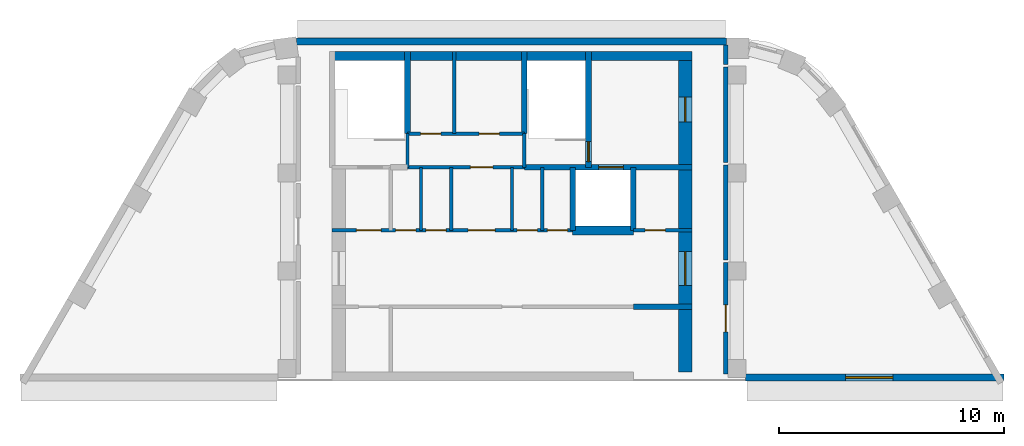
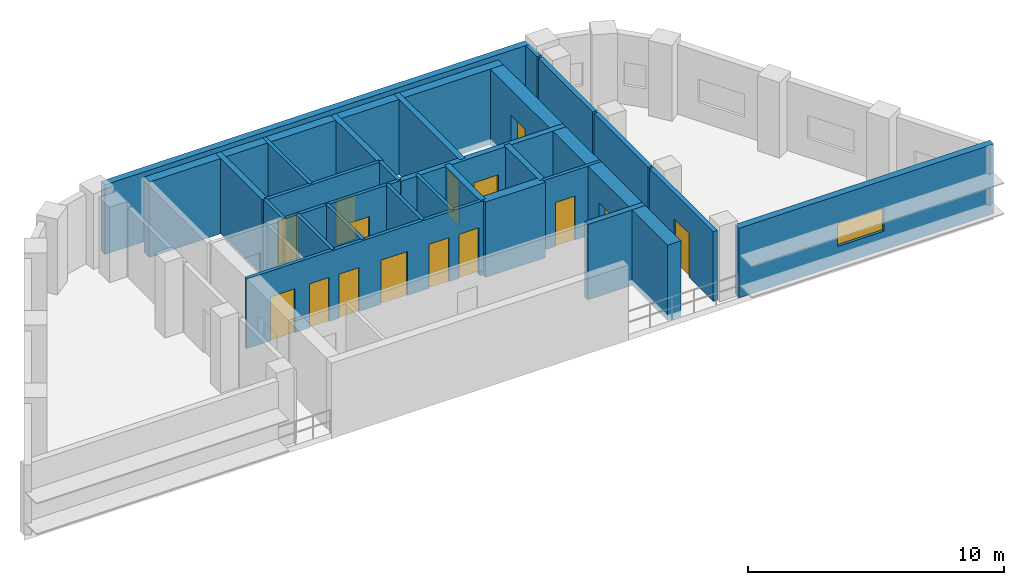
# One storey, part 2 of 4: 28 walls, 15 doors, 1 window, 16 openings.
"""IFC4 building model written with IfcOpenShell, lengths in metres."""

from ifc_helpers import new_model, si_unit, direction, frame, frame_2d, origin, place, context, subcontext, project, spatial, rectangle, extrude, material, layer, layer_set, type_object, element, fill, save


model = new_model("IFC4")

# Units and contexts
model_context = context("Model", 3, precision=1e-05, world=origin(), true_north=direction((0.0, 1.0)))
body_context = subcontext(model_context, "Body", "Model", "MODEL_VIEW")
ifc_project = project(units=[si_unit("LENGTHUNIT", "METRE"), si_unit("AREAUNIT", "SQUARE_METRE"), si_unit("VOLUMEUNIT", "CUBIC_METRE"), si_unit("PLANEANGLEUNIT", "RADIAN"), si_unit("MASSUNIT", "GRAM", prefix="KILO")], contexts=[model_context])

# Site, building, storey
site_placement = place(None, origin())
site = spatial("IfcSite", under=ifc_project, at=site_placement, CompositionType="ELEMENT")
building_placement = place(site_placement, origin())
building = spatial("IfcBuilding", under=site, at=building_placement, Name="Nakaniwa Court", CompositionType="ELEMENT")
storey_placement = place(building_placement, frame((0.0, 0.0, 294.0)))
storey = spatial("IfcBuildingStorey", under=building, at=storey_placement, Name="C07", CompositionType="ELEMENT", Elevation=294.0)

# Wall, opening, door
ifc_material_1 = material(Name="Acoustic double stud partition")
ifc_layer_1 = layer(ifc_material_1, 0.199951171875)
ifc_layer_set_1 = layer_set([ifc_layer_1], Name="Acoustic double stud partition")
wall_type_1 = type_object("IfcWallType", Name="Acoustic double stud partition 200", PredefinedType="PARTITIONING", material=ifc_layer_set_1)
wall_1_placement = place(storey_placement, frame((89.5, 92.6630859375, 0.0), z_axis=(0.0, 0.0, 1.0), x_axis=(0.0, -1.0, 0.0)))
wall_1 = element("IfcWall", 1, at=wall_1_placement, inside=storey, type_object=wall_type_1, Name="Partition PW-027", PredefinedType="PARTITIONING", context=body_context, shape_type="SweptSolid", body=[
    extrude(rectangle(XDim=4.963134765625, YDim=0.199951171875, at=frame_2d((2.4814453125, 0.0))), origin(), (0.0, 0.0, 1.0), 3.324951171875),
])
opening_1_placement = place(wall_1_placement, frame((1.883056640625, 0.0, 0.0)))
opening_1 = element("IfcOpeningElement", 2, at=opening_1_placement, cuts=wall_1, Name="Opening D-30-01", PredefinedType="OPENING", context=body_context, shape_type="SweptSolid", body=[
    extrude(rectangle(XDim=1.199951171875, YDim=2.10009765625, at=frame_2d((0.60009765625, 1.050048828125))), frame((0.0, 0.10986328125, 0.0), z_axis=(0.0, -1.0, 0.0), x_axis=(1.0, 0.0, 0.0)), (0.0, 0.0, 1.0), 0.219970703125),
])
ifc_material_2 = material(Name="Solid core timber door set, black veneer", Category="wood")
door_type_1 = type_object("IfcDoorType", Name="Internal door 1200", OperationType="NOTDEFINED", PredefinedType="DOOR", material=ifc_material_2)
door_1_placement = place(opening_1_placement, origin())
door_1 = element("IfcDoor", 3, at=door_1_placement, inside=storey, type_object=door_type_1, Name="Door D-30-01 C07-015", OperationType="SINGLE_SWING_RIGHT", OverallHeight=2.10009765625, OverallWidth=1.199951171875, PredefinedType="DOOR", context=body_context, shape_type="SweptSolid", body=[
    extrude(rectangle(XDim=1.199951171875, YDim=2.10009765625, at=frame_2d((0.60009765625, 1.050048828125))), frame((0.0, 0.02490234375, 0.0), z_axis=(0.0, -1.0, 0.0), x_axis=(1.0, 0.0, 0.0)), (0.0, 0.0, 1.0), 0.050048828125),
])
fill(opening_1, door_1)

# Walls
wall_2_placement = place(storey_placement, frame((89.5, 92.777099609375, 0.0), z_axis=(0.0, 0.0, 1.0), x_axis=(0.0, 1.0, 0.0)))
element("IfcWall", 4, at=wall_2_placement, inside=storey, type_object=wall_type_1, Name="Partition PW-028", PredefinedType="PARTITIONING", context=body_context, shape_type="SweptSolid", body=[
    extrude(rectangle(XDim=4.23583984375, YDim=0.199951171875, at=frame_2d((2.117919921875, 0.0))), origin(), (0.0, 0.0, 1.0), 3.324951171875),
])
wall_3_placement = place(storey_placement, frame((89.5, 97.126953125, 0.0), z_axis=(0.0, 0.0, 1.0), x_axis=(0.0, 1.0, 0.0)))
element("IfcWall", 5, at=wall_3_placement, inside=storey, type_object=wall_type_1, Name="Partition PW-029", PredefinedType="PARTITIONING", context=body_context, shape_type="SweptSolid", body=[
    extrude(rectangle(XDim=4.236083984375, YDim=0.199951171875, at=frame_2d((2.1181640625, 0.0))), origin(), (0.0, 0.0, 1.0), 3.324951171875),
])
wall_4_placement = place(storey_placement, frame((89.5, 101.47705078125, 0.0), z_axis=(0.0, 0.0, 1.0), x_axis=(0.0, 1.0, 0.0)))
element("IfcWall", 6, at=wall_4_placement, inside=storey, type_object=wall_type_1, Name="Partition PW-030", PredefinedType="PARTITIONING", context=body_context, shape_type="SweptSolid", body=[
    extrude(rectangle(XDim=0.873046875, YDim=0.199951171875, at=frame_2d((0.4365234375, 0.0))), origin(), (0.0, 0.0, 1.0), 3.324951171875),
])

# Wall, opening, window
ifc_material_3 = material(Name="Charcoal ceramic cladding")
ifc_layer_2 = layer(ifc_material_3, 0.02, Name="Ceramic cladding")
ifc_material_4 = material(Name="Ventilated air cavity")
ifc_layer_3 = layer(ifc_material_4, 0.04, ventilated=True, Name="Ventilated cavity")
ifc_material_5 = material(Name="Mineral wool insulation")
ifc_layer_4 = layer(ifc_material_5, 0.1, Name="Insulation")
ifc_material_6 = material(Name="Cement bonded sheathing board")
ifc_layer_5 = layer(ifc_material_6, 0.012, Name="Sheathing")
ifc_material_7 = material(Name="Cold-formed galvanised stud frame with mineral wool infill")
ifc_layer_6 = layer(ifc_material_7, 0.1, Name="Stud frame")
ifc_material_8 = material(Name="Fire-rated gypsum plasterboard lining")
ifc_layer_7 = layer(ifc_material_8, 0.028, Name="Lining")
ifc_layer_set_2 = layer_set([ifc_layer_2, ifc_layer_3, ifc_layer_4, ifc_layer_5, ifc_layer_6, ifc_layer_7], Name="Charcoal ceramic faced external wall system")
wall_type_2 = type_object("IfcWallType", Name="Black ceramic faced external wall 300", PredefinedType="SOLIDWALL", material=ifc_layer_set_2)
wall_5_placement = place(storey_placement, frame((90.39599609375, 87.550048828125, 0.0), z_axis=(0.0, 0.0, 1.0), x_axis=(1.0, 0.0, 0.0)))
wall_5 = element("IfcWall", 7, at=wall_5_placement, inside=storey, type_object=wall_type_2, Name="C07 external wall 03", PredefinedType="SOLIDWALL", context=body_context, shape_type="SweptSolid", body=[
    extrude(rectangle(XDim=11.485595703125, YDim=0.300048828125, at=frame_2d((5.74267578125, 0.0))), origin(), (0.0, 0.0, 1.0), 3.324951171875),
])
opening_2_placement = place(wall_5_placement, frame((4.439208984375, 0.0, 0.89990234375)))
opening_2 = element("IfcOpeningElement", 8, at=opening_2_placement, cuts=wall_5, Name="Opening W7.01", PredefinedType="OPENING", context=body_context, shape_type="SweptSolid", body=[
    extrude(rectangle(XDim=2.10009765625, YDim=1.10009765625, at=frame_2d((1.050048828125, 0.550048828125))), frame((0.0, 0.159912109375, 0.0), z_axis=(0.0, -1.0, 0.0), x_axis=(1.0, 0.0, 0.0)), (0.0, 0.0, 1.0), 0.320068359375),
])
ifc_material_9 = material(Name="Black anodised aluminium frame with dark low-E laminated double glazing", Category="aluminium")
window_type = type_object("IfcWindowType", Name="Dark glass window 2100x1100 sill 900", PartitioningType="SINGLE_PANEL", PredefinedType="WINDOW", material=ifc_material_9)
window_placement = place(opening_2_placement, origin())
window = element("IfcWindow", 9, at=window_placement, inside=storey, type_object=window_type, Name="C07 habitable room window 03-0", OverallHeight=1.10009765625, OverallWidth=2.10009765625, PartitioningType="SINGLE_PANEL", PredefinedType="WINDOW", context=body_context, shape_type="SweptSolid", body=[
    extrude(rectangle(XDim=2.10009765625, YDim=1.10009765625, at=frame_2d((1.050048828125, 0.550048828125))), frame((0.0, 0.030029296875, 0.0), z_axis=(0.0, -1.0, 0.0), x_axis=(1.0, 0.0, 0.0)), (0.0, 0.0, 1.0), 0.06005859375),
])
fill(opening_2, window)

# Wall
wall_6_placement = place(storey_placement, frame((89.54931640625, 102.5, 0.0), z_axis=(0.0, 0.0, 1.0), x_axis=(-1.0, 0.0, 0.0)))
element("IfcWall", 10, at=wall_6_placement, inside=storey, type_object=wall_type_2, Name="C07 external wall 09", PredefinedType="SOLIDWALL", context=body_context, shape_type="SweptSolid", body=[
    extrude(rectangle(XDim=19.1337890625, YDim=0.300048828125, at=frame_2d((9.56689453125, 0.0))), origin(), (0.0, 0.0, 1.0), 3.324951171875),
])

# Wall, openings, doors
ifc_material_10 = material(Name="Blockwork partition", Category="masonry")
ifc_layer_8 = layer(ifc_material_10, 0.14990234375)
ifc_layer_set_3 = layer_set([ifc_layer_8], Name="Blockwork partition")
wall_type_3 = type_object("IfcWallType", Name="Blockwork partition 150", PredefinedType="PARTITIONING", material=ifc_layer_set_3)
wall_7_placement = place(storey_placement, frame((72.0, 94.10009765625, 0.0), z_axis=(0.0, 0.0, 1.0), x_axis=(1.0, 0.0, 0.0)))
wall_7 = element("IfcWall", 11, at=wall_7_placement, inside=storey, type_object=wall_type_3, Name="Partition PW-005", PredefinedType="PARTITIONING", context=body_context, shape_type="SweptSolid", body=[
    extrude(rectangle(XDim=10.702880859375, YDim=0.14990234375, at=frame_2d((5.3515625, 0.0))), origin(), (0.0, 0.0, 1.0), 3.324951171875),
])
opening_3_placement = place(wall_7_placement, frame((1.074951171875, 0.0, 0.0)))
opening_3 = element("IfcOpeningElement", 12, at=opening_3_placement, cuts=wall_7, Name="Opening D-08-01", PredefinedType="OPENING", context=body_context, shape_type="SweptSolid", body=[
    extrude(rectangle(XDim=1.10009765625, YDim=2.10009765625, at=frame_2d((0.550048828125, 1.050048828125))), frame((0.0, 0.0849609375, 0.0), z_axis=(0.0, -1.0, 0.0), x_axis=(1.0, 0.0, 0.0)), (0.0, 0.0, 1.0), 0.169921875),
])
opening_4_placement = place(wall_7_placement, frame((2.824951171875, 0.0, 0.0)))
opening_4 = element("IfcOpeningElement", 13, at=opening_4_placement, cuts=wall_7, Name="Opening D-05-03", PredefinedType="OPENING", context=body_context, shape_type="SweptSolid", body=[
    extrude(rectangle(XDim=0.89990234375, YDim=2.10009765625, at=frame_2d((0.449951171875, 1.050048828125))), frame((0.0, 0.0849609375, 0.0), z_axis=(0.0, -1.0, 0.0), x_axis=(1.0, 0.0, 0.0)), (0.0, 0.0, 1.0), 0.169921875),
])
opening_5_placement = place(wall_7_placement, frame((4.175048828125, 0.0, 0.0)))
opening_5 = element("IfcOpeningElement", 14, at=opening_5_placement, cuts=wall_7, Name="Opening D-05-04", PredefinedType="OPENING", context=body_context, shape_type="SweptSolid", body=[
    extrude(rectangle(XDim=0.89990234375, YDim=2.10009765625, at=frame_2d((0.449951171875, 1.050048828125))), frame((0.0, 0.0849609375, 0.0), z_axis=(0.0, -1.0, 0.0), x_axis=(1.0, 0.0, 0.0)), (0.0, 0.0, 1.0), 0.169921875),
])
opening_6_placement = place(wall_7_placement, frame((6.050048828125, 0.0, 0.0)))
opening_6 = element("IfcOpeningElement", 15, at=opening_6_placement, cuts=wall_7, Name="Opening D-06-01", PredefinedType="OPENING", context=body_context, shape_type="SweptSolid", body=[
    extrude(rectangle(XDim=1.199951171875, YDim=2.10009765625, at=frame_2d((0.60009765625, 1.050048828125))), frame((0.0, 0.0849609375, 0.0), z_axis=(0.0, -1.0, 0.0), x_axis=(1.0, 0.0, 0.0)), (0.0, 0.0, 1.0), 0.169921875),
])
opening_7_placement = place(wall_7_placement, frame((8.22509765625, 0.0, 0.0)))
opening_7 = element("IfcOpeningElement", 16, at=opening_7_placement, cuts=wall_7, Name="Opening D-05-05", PredefinedType="OPENING", context=body_context, shape_type="SweptSolid", body=[
    extrude(rectangle(XDim=0.89990234375, YDim=2.10009765625, at=frame_2d((0.449951171875, 1.050048828125))), frame((0.0, 0.0849609375, 0.0), z_axis=(0.0, -1.0, 0.0), x_axis=(1.0, 0.0, 0.0)), (0.0, 0.0, 1.0), 0.169921875),
])
opening_8_placement = place(wall_7_placement, frame((9.574951171875, 0.0, 0.0)))
opening_8 = element("IfcOpeningElement", 17, at=opening_8_placement, cuts=wall_7, Name="Opening D-05-06", PredefinedType="OPENING", context=body_context, shape_type="SweptSolid", body=[
    extrude(rectangle(XDim=0.89990234375, YDim=2.10009765625, at=frame_2d((0.449951171875, 1.050048828125))), frame((0.0, 0.0849609375, 0.0), z_axis=(0.0, -1.0, 0.0), x_axis=(1.0, 0.0, 0.0)), (0.0, 0.0, 1.0), 0.169921875),
])
ifc_material_11 = material(Name="Fire rated steel double door set", Category="steel")
door_type_2 = type_object("IfcDoorType", Name="Service passage double door 1200", OperationType="NOTDEFINED", PredefinedType="DOOR", material=ifc_material_11)
door_2_placement = place(opening_6_placement, origin())
door_2 = element("IfcDoor", 18, at=door_2_placement, inside=storey, type_object=door_type_2, Name="Door D-06-01 C07-006", OperationType="DOUBLE_DOOR_SINGLE_SWING", OverallHeight=2.10009765625, OverallWidth=1.199951171875, PredefinedType="DOOR", context=body_context, shape_type="SweptSolid", body=[
    extrude(rectangle(XDim=1.199951171875, YDim=2.10009765625, at=frame_2d((0.60009765625, 1.050048828125))), frame((0.0, 0.02490234375, 0.0), z_axis=(0.0, -1.0, 0.0), x_axis=(1.0, 0.0, 0.0)), (0.0, 0.0, 1.0), 0.050048828125),
])
fill(opening_6, door_2)
ifc_material_12 = material(Name="Fire rated steel door set", Category="steel")
door_type_3 = type_object("IfcDoorType", Name="Service room door 900", OperationType="NOTDEFINED", PredefinedType="DOOR", material=ifc_material_12)
door_3_placement = place(opening_4_placement, origin())
door_3 = element("IfcDoor", 19, at=door_3_placement, inside=storey, type_object=door_type_3, Name="Door D-05-03 C07-004", OperationType="SINGLE_SWING_LEFT", OverallHeight=2.10009765625, OverallWidth=0.89990234375, PredefinedType="DOOR", context=body_context, shape_type="SweptSolid", body=[
    extrude(rectangle(XDim=0.89990234375, YDim=2.10009765625, at=frame_2d((0.449951171875, 1.050048828125))), frame((0.0, 0.02490234375, 0.0), z_axis=(0.0, -1.0, 0.0), x_axis=(1.0, 0.0, 0.0)), (0.0, 0.0, 1.0), 0.050048828125),
])
fill(opening_4, door_3)
door_4_placement = place(opening_5_placement, origin())
door_4 = element("IfcDoor", 20, at=door_4_placement, inside=storey, type_object=door_type_3, Name="Door D-05-04 C07-005", OperationType="SINGLE_SWING_RIGHT", OverallHeight=2.10009765625, OverallWidth=0.89990234375, PredefinedType="DOOR", context=body_context, shape_type="SweptSolid", body=[
    extrude(rectangle(XDim=0.89990234375, YDim=2.10009765625, at=frame_2d((0.449951171875, 1.050048828125))), frame((0.0, 0.02490234375, 0.0), z_axis=(0.0, -1.0, 0.0), x_axis=(1.0, 0.0, 0.0)), (0.0, 0.0, 1.0), 0.050048828125),
])
fill(opening_5, door_4)
door_5_placement = place(opening_7_placement, origin())
door_5 = element("IfcDoor", 21, at=door_5_placement, inside=storey, type_object=door_type_3, Name="Door D-05-05 C07-007", OperationType="SINGLE_SWING_RIGHT", OverallHeight=2.10009765625, OverallWidth=0.89990234375, PredefinedType="DOOR", context=body_context, shape_type="SweptSolid", body=[
    extrude(rectangle(XDim=0.89990234375, YDim=2.10009765625, at=frame_2d((0.449951171875, 1.050048828125))), frame((0.0, 0.02490234375, 0.0), z_axis=(0.0, -1.0, 0.0), x_axis=(1.0, 0.0, 0.0)), (0.0, 0.0, 1.0), 0.050048828125),
])
fill(opening_7, door_5)
door_6_placement = place(opening_8_placement, origin())
door_6 = element("IfcDoor", 22, at=door_6_placement, inside=storey, type_object=door_type_3, Name="Door D-05-06 C07-008", OperationType="SINGLE_SWING_LEFT", OverallHeight=2.10009765625, OverallWidth=0.89990234375, PredefinedType="DOOR", context=body_context, shape_type="SweptSolid", body=[
    extrude(rectangle(XDim=0.89990234375, YDim=2.10009765625, at=frame_2d((0.449951171875, 1.050048828125))), frame((0.0, 0.02490234375, 0.0), z_axis=(0.0, -1.0, 0.0), x_axis=(1.0, 0.0, 0.0)), (0.0, 0.0, 1.0), 0.050048828125),
])
fill(opening_8, door_6)
door_type_4 = type_object("IfcDoorType", Name="Stair lobby door 1100", OperationType="NOTDEFINED", PredefinedType="DOOR", material=ifc_material_12)
door_7_placement = place(opening_3_placement, origin())
door_7 = element("IfcDoor", 23, at=door_7_placement, inside=storey, type_object=door_type_4, Name="Door D-08-01 C07-003", OperationType="SINGLE_SWING_RIGHT", OverallHeight=2.10009765625, OverallWidth=1.10009765625, PredefinedType="DOOR", context=body_context, shape_type="SweptSolid", body=[
    extrude(rectangle(XDim=1.10009765625, YDim=2.10009765625, at=frame_2d((0.550048828125, 1.050048828125))), frame((0.0, 0.02490234375, 0.0), z_axis=(0.0, -1.0, 0.0), x_axis=(1.0, 0.0, 0.0)), (0.0, 0.0, 1.0), 0.050048828125),
])
fill(opening_3, door_7)

# Wall, opening, door
wall_8_placement = place(storey_placement, frame((85.39697265625, 94.10009765625, 0.0), z_axis=(0.0, 0.0, 1.0), x_axis=(1.0, 0.0, 0.0)))
wall_8 = element("IfcWall", 24, at=wall_8_placement, inside=storey, type_object=wall_type_3, Name="Partition PW-006", PredefinedType="PARTITIONING", context=body_context, shape_type="SweptSolid", body=[
    extrude(rectangle(XDim=2.60302734375, YDim=0.14990234375, at=frame_2d((1.301513671875, 0.0))), origin(), (0.0, 0.0, 1.0), 3.324951171875),
])
opening_9_placement = place(wall_8_placement, frame((0.528076171875, 0.0, 0.0)))
opening_9 = element("IfcOpeningElement", 25, at=opening_9_placement, cuts=wall_8, Name="Opening D-05-07", PredefinedType="OPENING", context=body_context, shape_type="SweptSolid", body=[
    extrude(rectangle(XDim=0.89990234375, YDim=2.10009765625, at=frame_2d((0.449951171875, 1.050048828125))), frame((0.0, 0.0849609375, 0.0), z_axis=(0.0, -1.0, 0.0), x_axis=(1.0, 0.0, 0.0)), (0.0, 0.0, 1.0), 0.169921875),
])
door_8_placement = place(opening_9_placement, origin())
door_8 = element("IfcDoor", 26, at=door_8_placement, inside=storey, type_object=door_type_3, Name="Door D-05-07 C07-009", OperationType="SINGLE_SWING_RIGHT", OverallHeight=2.10009765625, OverallWidth=0.89990234375, PredefinedType="DOOR", context=body_context, shape_type="SweptSolid", body=[
    extrude(rectangle(XDim=0.89990234375, YDim=2.10009765625, at=frame_2d((0.449951171875, 1.050048828125))), frame((0.0, 0.02490234375, 0.0), z_axis=(0.0, -1.0, 0.0), x_axis=(1.0, 0.0, 0.0)), (0.0, 0.0, 1.0), 0.050048828125),
])
fill(opening_9, door_8)

# Wall
wall_9_placement = place(storey_placement, frame((75.949951171875, 94.10009765625, 0.0), z_axis=(0.0, 0.0, 1.0), x_axis=(0.0, 1.0, 0.0)))
element("IfcWall", 27, at=wall_9_placement, inside=storey, type_object=wall_type_3, Name="Partition PW-010", PredefinedType="PARTITIONING", context=body_context, shape_type="SweptSolid", body=[
    extrude(rectangle(XDim=2.7998046875, YDim=0.14990234375, at=frame_2d((1.39990234375, 0.0))), origin(), (0.0, 0.0, 1.0), 3.324951171875),
])

# Wall, opening, door
wall_10_placement = place(storey_placement, frame((75.346923828125, 96.89990234375, 0.0), z_axis=(0.0, 0.0, 1.0), x_axis=(1.0, 0.0, 0.0)))
wall_10 = element("IfcWall", 28, at=wall_10_placement, inside=storey, type_object=wall_type_3, Name="Partition PW-013", PredefinedType="PARTITIONING", context=body_context, shape_type="SweptSolid", body=[
    extrude(rectangle(XDim=5.2060546875, YDim=0.14990234375, at=frame_2d((2.60302734375, 0.0))), origin(), (0.0, 0.0, 1.0), 3.324951171875),
])
opening_10_placement = place(wall_10_placement, frame((2.802978515625, 0.0, 0.0)))
opening_10 = element("IfcOpeningElement", 29, at=opening_10_placement, cuts=wall_10, Name="Opening D-23-01", PredefinedType="OPENING", context=body_context, shape_type="SweptSolid", body=[
    extrude(rectangle(XDim=1.0, YDim=2.10009765625, at=frame_2d((0.5, 1.050048828125))), frame((0.0, 0.0849609375, 0.0), z_axis=(0.0, -1.0, 0.0), x_axis=(1.0, 0.0, 0.0)), (0.0, 0.0, 1.0), 0.169921875),
])
door_type_5 = type_object("IfcDoorType", Name="Service room door 1000", OperationType="NOTDEFINED", PredefinedType="DOOR", material=ifc_material_12)
door_9_placement = place(opening_10_placement, origin())
door_9 = element("IfcDoor", 30, at=door_9_placement, inside=storey, type_object=door_type_5, Name="Door D-23-01 C07-010", OperationType="SINGLE_SWING_LEFT", OverallHeight=2.10009765625, OverallWidth=1.0, PredefinedType="DOOR", context=body_context, shape_type="SweptSolid", body=[
    extrude(rectangle(XDim=1.0, YDim=2.10009765625, at=frame_2d((0.5, 1.050048828125))), frame((0.0, 0.02490234375, 0.0), z_axis=(0.0, -1.0, 0.0), x_axis=(1.0, 0.0, 0.0)), (0.0, 0.0, 1.0), 0.050048828125),
])
fill(opening_10, door_9)

# Walls
for number, where, z_axis, x_axis, name in (
    (31, (77.300048828125, 94.10009765625, 0.0), (0.0, 0.0, 1.0), (0.0, 1.0, 0.0), "Partition PW-014"),
    (32, (80.0, 94.10009765625, 0.0), (0.0, 0.0, 1.0), (0.0, 1.0, 0.0), "Partition PW-015"),
    (33, (81.35009765625, 94.10009765625, 0.0), (0.0, 0.0, 1.0), (0.0, 1.0, 0.0), "Partition PW-016"),
):
    element("IfcWall", number, at=place(storey_placement, frame(where, z_axis=z_axis, x_axis=x_axis)), inside=storey, type_object=wall_type_3, Name=name, PredefinedType="PARTITIONING", context=body_context, shape_type="SweptSolid", body=[
        extrude(rectangle(XDim=2.7998046875, YDim=0.14990234375, at=frame_2d((1.39990234375, 0.0))), origin(), (0.0, 0.0, 1.0), 3.324951171875),
    ])

# Wall, openings, doors
wall_11_placement = place(storey_placement, frame((75.35009765625, 98.39990234375, 0.0), z_axis=(0.0, 0.0, 1.0), x_axis=(1.0, 0.0, 0.0)))
wall_11 = element("IfcWall", 34, at=wall_11_placement, inside=storey, type_object=wall_type_3, Name="Partition PW-025", PredefinedType="PARTITIONING", context=body_context, shape_type="SweptSolid", body=[
    extrude(rectangle(XDim=5.199951171875, YDim=0.14990234375, at=frame_2d((2.60009765625, 0.0))), origin(), (0.0, 0.0, 1.0), 3.324951171875),
])
opening_11_placement = place(wall_11_placement, frame((0.590087890625, 0.0, 0.0)))
opening_11 = element("IfcOpeningElement", 35, at=opening_11_placement, cuts=wall_11, Name="Opening D-05-08", PredefinedType="OPENING", context=body_context, shape_type="SweptSolid", body=[
    extrude(rectangle(XDim=0.89990234375, YDim=2.10009765625, at=frame_2d((0.449951171875, 1.050048828125))), frame((0.0, 0.0849609375, 0.0), z_axis=(0.0, -1.0, 0.0), x_axis=(1.0, 0.0, 0.0)), (0.0, 0.0, 1.0), 0.169921875),
])
opening_12_placement = place(wall_11_placement, frame((3.18994140625, 0.0, 0.0)))
opening_12 = element("IfcOpeningElement", 36, at=opening_12_placement, cuts=wall_11, Name="Opening D-05-09", PredefinedType="OPENING", context=body_context, shape_type="SweptSolid", body=[
    extrude(rectangle(XDim=0.89990234375, YDim=2.10009765625, at=frame_2d((0.449951171875, 1.050048828125))), frame((0.0, 0.0849609375, 0.0), z_axis=(0.0, -1.0, 0.0), x_axis=(1.0, 0.0, 0.0)), (0.0, 0.0, 1.0), 0.169921875),
])
door_10_placement = place(opening_11_placement, origin())
door_10 = element("IfcDoor", 37, at=door_10_placement, inside=storey, type_object=door_type_3, Name="Door D-05-08 C07-011", OperationType="SINGLE_SWING_RIGHT", OverallHeight=2.10009765625, OverallWidth=0.89990234375, PredefinedType="DOOR", context=body_context, shape_type="SweptSolid", body=[
    extrude(rectangle(XDim=0.89990234375, YDim=2.10009765625, at=frame_2d((0.449951171875, 1.050048828125))), frame((0.0, 0.02490234375, 0.0), z_axis=(0.0, -1.0, 0.0), x_axis=(1.0, 0.0, 0.0)), (0.0, 0.0, 1.0), 0.050048828125),
])
fill(opening_11, door_10)
door_11_placement = place(opening_12_placement, origin())
door_11 = element("IfcDoor", 38, at=door_11_placement, inside=storey, type_object=door_type_3, Name="Door D-05-09 C07-012", OperationType="SINGLE_SWING_LEFT", OverallHeight=2.10009765625, OverallWidth=0.89990234375, PredefinedType="DOOR", context=body_context, shape_type="SweptSolid", body=[
    extrude(rectangle(XDim=0.89990234375, YDim=2.10009765625, at=frame_2d((0.449951171875, 1.050048828125))), frame((0.0, 0.02490234375, 0.0), z_axis=(0.0, -1.0, 0.0), x_axis=(1.0, 0.0, 0.0)), (0.0, 0.0, 1.0), 0.050048828125),
])
fill(opening_12, door_11)

# Wall
wall_12_placement = place(storey_placement, frame((77.429931640625, 98.39990234375, 0.0), z_axis=(0.0, 0.0, 1.0), x_axis=(0.0, 1.0, 0.0)))
element("IfcWall", 39, at=wall_12_placement, inside=storey, type_object=wall_type_3, Name="Partition PW-026", PredefinedType="PARTITIONING", context=body_context, shape_type="SweptSolid", body=[
    extrude(rectangle(XDim=3.650146484375, YDim=0.14990234375, at=frame_2d((1.8251953125, 0.0))), origin(), (0.0, 0.0, 1.0), 3.324951171875),
])

# Wall, openings, doors
ifc_material_13 = material(Name="Concrete C80/100", Category="concrete")
ifc_layer_9 = layer(ifc_material_13, 0.60009765625)
ifc_layer_set_4 = layer_set([ifc_layer_9], Name="Concrete C80/100")
wall_type_4 = type_object("IfcWallType", Name="Concrete core side wall 600 C80", PredefinedType="SHEAR", material=ifc_layer_set_4)
wall_13_placement = place(storey_placement, frame((87.699951171875, 102.050048828125, -0.27490234375), z_axis=(0.0, 0.0, 1.0), x_axis=(0.0, -1.0, 0.0)))
wall_13 = element("IfcWall", 40, at=wall_13_placement, inside=storey, type_object=wall_type_4, Name="Core wall SW-08", PredefinedType="SHEAR", context=body_context, shape_type="SweptSolid", body=[
    extrude(rectangle(XDim=11.35009765625, YDim=0.60009765625, at=frame_2d((5.675048828125, 0.0))), origin(), (0.0, 0.0, 1.0), 3.599853515625),
])
opening_13_placement = place(wall_13_placement, frame((8.89990234375, 0.0, 0.27490234375)))
opening_13 = element("IfcOpeningElement", 41, at=opening_13_placement, cuts=wall_13, Name="Opening D-07-01", PredefinedType="OPENING", context=body_context, shape_type="SweptSolid", body=[
    extrude(rectangle(XDim=1.5, YDim=2.10009765625, at=frame_2d((0.75, 1.050048828125))), frame((0.0, 0.31005859375, 0.0), z_axis=(0.0, -1.0, 0.0), x_axis=(1.0, 0.0, 0.0)), (0.0, 0.0, 1.0), 0.6201171875),
])
opening_14_placement = place(wall_13_placement, frame((2.02490234375, 0.0, 0.27490234375)))
opening_14 = element("IfcOpeningElement", 42, at=opening_14_placement, cuts=wall_13, Name="Opening D-10-01", PredefinedType="OPENING", context=body_context, shape_type="SweptSolid", body=[
    extrude(rectangle(XDim=1.10009765625, YDim=2.10009765625, at=frame_2d((0.550048828125, 1.050048828125))), frame((0.0, 0.31005859375, 0.0), z_axis=(0.0, -1.0, 0.0), x_axis=(1.0, 0.0, 0.0)), (0.0, 0.0, 1.0), 0.6201171875),
])
door_type_6 = type_object("IfcDoorType", Name="Firefighting lobby door 1100", OperationType="NOTDEFINED", PredefinedType="DOOR", material=ifc_material_12)
door_12_placement = place(opening_14_placement, origin())
door_12 = element("IfcDoor", 43, at=door_12_placement, inside=storey, type_object=door_type_6, Name="Door D-10-01 C07-019", OperationType="SINGLE_SWING_RIGHT", OverallHeight=2.10009765625, OverallWidth=1.10009765625, PredefinedType="DOOR", context=body_context, shape_type="SweptSolid", body=[
    extrude(rectangle(XDim=1.10009765625, YDim=2.10009765625, at=frame_2d((0.550048828125, 1.050048828125))), frame((0.0, 0.02490234375, 0.0), z_axis=(0.0, -1.0, 0.0), x_axis=(1.0, 0.0, 0.0)), (0.0, 0.0, 1.0), 0.050048828125),
])
fill(opening_14, door_12)
ifc_material_14 = material(Name="Glazed fire rated steel double door set", Category="steel")
door_type_7 = type_object("IfcDoorType", Name="Lobby double door 1500", OperationType="NOTDEFINED", PredefinedType="DOOR", material=ifc_material_14)
door_13_placement = place(opening_13_placement, origin())
door_13 = element("IfcDoor", 44, at=door_13_placement, inside=storey, type_object=door_type_7, Name="Door D-07-01 C07-017", OperationType="DOUBLE_DOOR_SINGLE_SWING", OverallHeight=2.10009765625, OverallWidth=1.5, PredefinedType="DOOR", context=body_context, shape_type="SweptSolid", body=[
    extrude(rectangle(XDim=1.5, YDim=2.10009765625, at=frame_2d((0.75, 1.050048828125))), frame((0.0, 0.02490234375, 0.0), z_axis=(0.0, -1.0, 0.0), x_axis=(1.0, 0.0, 0.0)), (0.0, 0.0, 1.0), 0.050048828125),
])
fill(opening_13, door_13)

# Walls
wall_14_placement = place(storey_placement, frame((87.699951171875, 87.800048828125, -0.27490234375), z_axis=(0.0, 0.0, 1.0), x_axis=(0.0, 1.0, 0.0)))
element("IfcWall", 45, at=wall_14_placement, inside=storey, type_object=wall_type_4, Name="Core wall SW-36", PredefinedType="SHEAR", context=body_context, shape_type="SweptSolid", body=[
    extrude(rectangle(XDim=2.89599609375, YDim=0.60009765625, at=frame_2d((1.447998046875, 0.0))), origin(), (0.0, 0.0, 1.0), 3.599853515625),
])
ifc_layer_10 = layer(ifc_material_13, 0.39990234375)
ifc_layer_set_5 = layer_set([ifc_layer_10], Name="Concrete C80/100")
wall_type_5 = type_object("IfcWallType", Name="Concrete core spine wall 400 C80", PredefinedType="SHEAR", material=ifc_layer_set_5)
wall_15_placement = place(storey_placement, frame((82.697021484375, 94.10009765625, -0.27490234375), z_axis=(0.0, 0.0, 1.0), x_axis=(1.0, 0.0, 0.0)))
element("IfcWall", 46, at=wall_15_placement, inside=storey, type_object=wall_type_5, Name="Core wall SW-07", PredefinedType="SHEAR", context=body_context, shape_type="SweptSolid", body=[
    extrude(rectangle(XDim=2.7060546875, YDim=0.39990234375, at=frame_2d((1.35302734375, 0.0))), origin(), (0.0, 0.0, 1.0), 3.599853515625),
])
ifc_layer_11 = layer(ifc_material_13, 0.14990234375)
ifc_layer_set_6 = layer_set([ifc_layer_11], Name="Concrete C80/100")
wall_type_6 = type_object("IfcWallType", Name="Concrete core wall 150 C80", PredefinedType="SHEAR", material=ifc_layer_set_6)
for number, where, z_axis, x_axis, name in (
    (47, (75.35009765625, 96.89990234375, -0.27490234375), (0.0, 0.0, 1.0), (0.0, 1.0, 0.0), "Core wall SW-19"),
    (48, (80.550048828125, 96.89990234375, -0.27490234375), (0.0, 0.0, 1.0), (0.0, 1.0, 0.0), "Core wall SW-23"),
):
    element("IfcWall", number, at=place(storey_placement, frame(where, z_axis=z_axis, x_axis=x_axis)), inside=storey, type_object=wall_type_6, Name=name, PredefinedType="SHEAR", context=body_context, shape_type="SweptSolid", body=[
        extrude(rectangle(XDim=1.503173828125, YDim=0.14990234375, at=frame_2d((0.75146484375, 0.0))), origin(), (0.0, 0.0, 1.0), 3.599853515625),
    ])
ifc_layer_12 = layer(ifc_material_13, 0.39990234375)
ifc_layer_set_7 = layer_set([ifc_layer_12], Name="Concrete C80/100")
wall_type_7 = type_object("IfcWallType", Name="Concrete core wall 400 C80", PredefinedType="SHEAR", material=ifc_layer_set_7)
wall_16_placement = place(storey_placement, frame((72.00390625, 101.85009765625, -0.27490234375), z_axis=(0.0, 0.0, 1.0), x_axis=(1.0, 0.0, 0.0)))
element("IfcWall", 49, at=wall_16_placement, inside=storey, type_object=wall_type_7, Name="Core wall SW-38", PredefinedType="SHEAR", context=body_context, shape_type="SweptSolid", body=[
    extrude(rectangle(XDim=15.9921875, YDim=0.39990234375, at=frame_2d((7.99609375, 0.0))), origin(), (0.0, 0.0, 1.0), 3.599853515625),
])

# Wall, opening, door
ifc_layer_13 = layer(ifc_material_13, 0.25)
ifc_layer_set_8 = layer_set([ifc_layer_13], Name="Concrete C80/100")
wall_type_8 = type_object("IfcWallType", Name="Concrete shaft wall 250 C80", PredefinedType="SHEAR", material=ifc_layer_set_8)
wall_17_placement = place(storey_placement, frame((80.547119140625, 96.89990234375, -0.27490234375), z_axis=(0.0, 0.0, 1.0), x_axis=(1.0, 0.0, 0.0)))
wall_17 = element("IfcWall", 50, at=wall_17_placement, inside=storey, type_object=wall_type_8, Name="Core wall SW-12", PredefinedType="SHEAR", context=body_context, shape_type="SweptSolid", body=[
    extrude(rectangle(XDim=7.452880859375, YDim=0.25, at=frame_2d((3.7265625, 0.0))), origin(), (0.0, 0.0, 1.0), 3.599853515625),
])
opening_15_placement = place(wall_17_placement, frame((3.302001953125, 0.0, 0.27490234375)))
opening_15 = element("IfcOpeningElement", 51, at=opening_15_placement, cuts=wall_17, Name="Opening LD01", PredefinedType="OPENING", context=body_context, shape_type="SweptSolid", body=[
    extrude(rectangle(XDim=1.10009765625, YDim=2.10009765625, at=frame_2d((0.550048828125, 1.050048828125))), frame((0.0, 0.135009765625, 0.0), z_axis=(0.0, -1.0, 0.0), x_axis=(1.0, 0.0, 0.0)), (0.0, 0.0, 1.0), 0.27001953125),
])
ifc_material_15 = material(Name="Stainless steel sliding lift landing door", Category="steel")
door_type_8 = type_object("IfcDoorType", Name="Lift landing door 1100", OperationType="NOTDEFINED", PredefinedType="DOOR", material=ifc_material_15)
door_14_placement = place(opening_15_placement, origin())
door_14 = element("IfcDoor", 52, at=door_14_placement, inside=storey, type_object=door_type_8, Name="Lift landing door LD01 C07-001", OperationType="SLIDING_TO_LEFT", OverallHeight=2.10009765625, OverallWidth=1.10009765625, PredefinedType="DOOR", context=body_context, shape_type="SweptSolid", body=[
    extrude(rectangle(XDim=1.10009765625, YDim=2.10009765625, at=frame_2d((0.550048828125, 1.050048828125))), frame((0.0, 0.02490234375, 0.0), z_axis=(0.0, -1.0, 0.0), x_axis=(1.0, 0.0, 0.0)), (0.0, 0.0, 1.0), 0.050048828125),
])
fill(opening_15, door_14)

# Walls
for number, where, z_axis, x_axis, name in (
    (53, (82.699951171875, 94.10009765625, -0.27490234375), (0.0, 0.0, 1.0), (0.0, 1.0, 0.0), "Core wall SW-17"),
    (54, (85.39990234375, 94.10009765625, -0.27490234375), (0.0, 0.0, 1.0), (0.0, 1.0, 0.0), "Core wall SW-18"),
):
    element("IfcWall", number, at=place(storey_placement, frame(where, z_axis=z_axis, x_axis=x_axis)), inside=storey, type_object=wall_type_8, Name=name, PredefinedType="SHEAR", context=body_context, shape_type="SweptSolid", body=[
        extrude(rectangle(XDim=2.7998046875, YDim=0.25, at=frame_2d((1.39990234375, 0.0))), origin(), (0.0, 0.0, 1.0), 3.599853515625),
    ])
wall_18_placement = place(storey_placement, frame((75.35009765625, 98.39697265625, -0.27490234375), z_axis=(0.0, 0.0, 1.0), x_axis=(0.0, 1.0, 0.0)))
element("IfcWall", 55, at=wall_18_placement, inside=storey, type_object=wall_type_8, Name="Core wall SW-20", PredefinedType="SHEAR", context=body_context, shape_type="SweptSolid", body=[
    extrude(rectangle(XDim=3.653076171875, YDim=0.25, at=frame_2d((1.82666015625, 0.0))), origin(), (0.0, 0.0, 1.0), 3.599853515625),
])

# Wall, opening, door
wall_19_placement = place(storey_placement, frame((83.39990234375, 102.050048828125, -0.27490234375), z_axis=(0.0, 0.0, 1.0), x_axis=(0.0, -1.0, 0.0)))
wall_19 = element("IfcWall", 56, at=wall_19_placement, inside=storey, type_object=wall_type_8, Name="Core wall SW-22", PredefinedType="SHEAR", context=body_context, shape_type="SweptSolid", body=[
    extrude(rectangle(XDim=5.150146484375, YDim=0.25, at=frame_2d((2.5751953125, 0.0))), origin(), (0.0, 0.0, 1.0), 3.599853515625),
])
opening_16_placement = place(wall_19_placement, frame((4.0, 0.0, 0.27490234375)))
opening_16 = element("IfcOpeningElement", 57, at=opening_16_placement, cuts=wall_19, Name="Opening D-11-01", PredefinedType="OPENING", context=body_context, shape_type="SweptSolid", body=[
    extrude(rectangle(XDim=0.89990234375, YDim=2.10009765625, at=frame_2d((0.449951171875, 1.050048828125))), frame((0.0, 0.135009765625, 0.0), z_axis=(0.0, -1.0, 0.0), x_axis=(1.0, 0.0, 0.0)), (0.0, 0.0, 1.0), 0.27001953125),
])
door_type_9 = type_object("IfcDoorType", Name="Stair door 900", OperationType="NOTDEFINED", PredefinedType="DOOR", material=ifc_material_12)
door_15_placement = place(opening_16_placement, origin())
door_15 = element("IfcDoor", 58, at=door_15_placement, inside=storey, type_object=door_type_9, Name="Door D-11-01 C07-014", OperationType="SINGLE_SWING_RIGHT", OverallHeight=2.10009765625, OverallWidth=0.89990234375, PredefinedType="DOOR", context=body_context, shape_type="SweptSolid", body=[
    extrude(rectangle(XDim=0.89990234375, YDim=2.10009765625, at=frame_2d((0.449951171875, 1.050048828125))), frame((0.0, 0.02490234375, 0.0), z_axis=(0.0, -1.0, 0.0), x_axis=(1.0, 0.0, 0.0)), (0.0, 0.0, 1.0), 0.050048828125),
])
fill(opening_16, door_15)

# Walls
wall_20_placement = place(storey_placement, frame((80.550048828125, 98.39697265625, -0.27490234375), z_axis=(0.0, 0.0, 1.0), x_axis=(0.0, 1.0, 0.0)))
element("IfcWall", 59, at=wall_20_placement, inside=storey, type_object=wall_type_8, Name="Core wall SW-24", PredefinedType="SHEAR", context=body_context, shape_type="SweptSolid", body=[
    extrude(rectangle(XDim=3.653076171875, YDim=0.25, at=frame_2d((1.82666015625, 0.0))), origin(), (0.0, 0.0, 1.0), 3.599853515625),
])
wall_21_placement = place(storey_placement, frame((85.404052734375, 90.699951171875, -0.27490234375), z_axis=(0.0, 0.0, 1.0), x_axis=(1.0, 0.0, 0.0)))
element("IfcWall", 60, at=wall_21_placement, inside=storey, type_object=wall_type_8, Name="Core wall SW-37", PredefinedType="SHEAR", context=body_context, shape_type="SweptSolid", body=[
    extrude(rectangle(XDim=2.592041015625, YDim=0.25, at=frame_2d((1.2958984375, 0.0))), origin(), (0.0, 0.0, 1.0), 3.599853515625),
])

save(model, "model.ifc")
